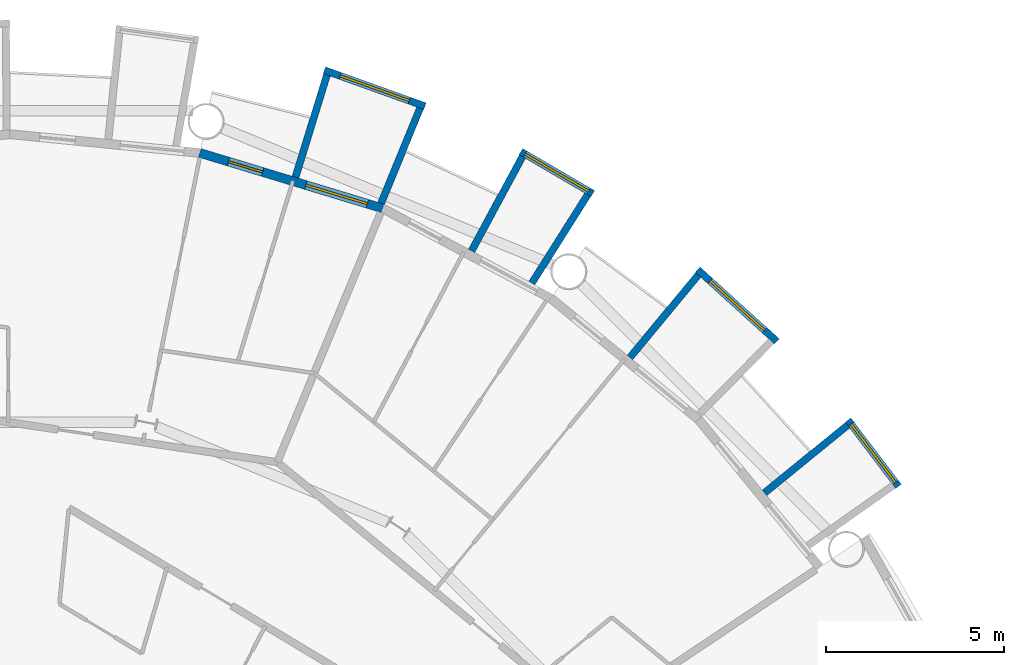
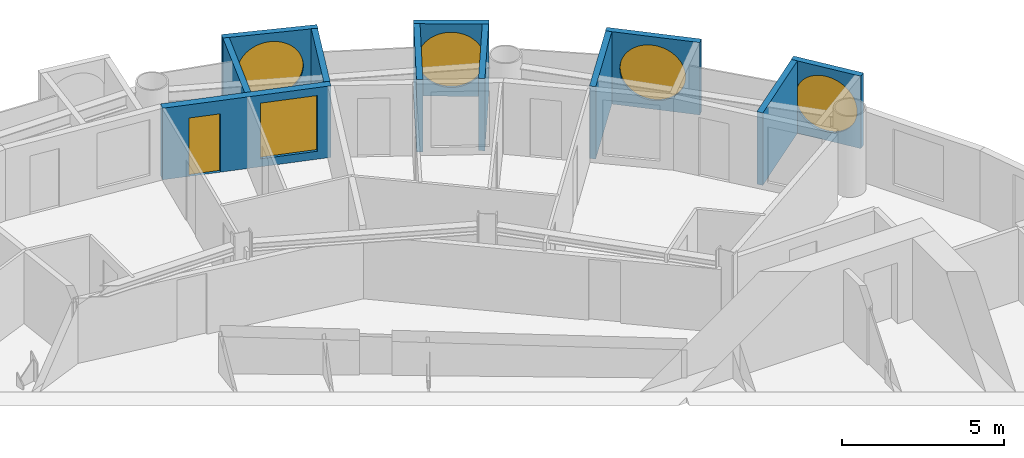
# One storey, part 22 of 26: 11 walls, 5 windows, 1 door, 6 openings.
"""IFC4 building model written with IfcOpenShell, lengths in metres."""

from ifc_helpers import new_model, si_unit, direction, frame, frame_2d, origin, place, context, subcontext, project, spatial, rectangle, circle, extrude, material, layer, layer_set, type_object, element, fill, save


model = new_model("IFC4")

# Units and contexts
model_context = context("Model", 3, precision=1e-05, world=origin(), true_north=direction((0.0, 1.0)))
body_context = subcontext(model_context, "Body", "Model", "MODEL_VIEW")
ifc_project = project(units=[si_unit("LENGTHUNIT", "METRE"), si_unit("AREAUNIT", "SQUARE_METRE"), si_unit("VOLUMEUNIT", "CUBIC_METRE"), si_unit("PLANEANGLEUNIT", "RADIAN"), si_unit("MASSUNIT", "GRAM", prefix="KILO")], contexts=[model_context])

# Site, building, storey
site_placement = place(None, origin())
site = spatial("IfcSite", under=ifc_project, at=site_placement, CompositionType="ELEMENT")
building_placement = place(site_placement, origin())
building = spatial("IfcBuilding", under=site, at=building_placement, Name="Maasbend Ring Residences", CompositionType="ELEMENT")
storey_placement = place(building_placement, frame((0.0, 0.0, 47.199951171875)))
storey = spatial("IfcBuildingStorey", under=building, at=storey_placement, Name="L13", CompositionType="ELEMENT", Elevation=47.199951171875)

# Wall, opening, window
ifc_material_1 = material(Name="Pale anodised aluminium panel", Category="aluminium")
ifc_layer_1 = layer(ifc_material_1, 0.199951171875)
ifc_layer_set_1 = layer_set([ifc_layer_1], Name="EW-BOX")
wall_type_1 = type_object("IfcWallType", Name="EW-BOX", PredefinedType="SOLIDWALL", material=ifc_layer_set_1)
wall_1_placement = place(storey_placement, frame((24.908935546875, 17.427001953125, -0.030029296875), z_axis=(0.0, 0.0, 1.0), x_axis=(-0.60418752353, 0.796842165306, 0.0)))
wall_1 = element("IfcWall", 1, at=wall_1_placement, inside=storey, type_object=wall_type_1, Name="Box front N01", PredefinedType="SOLIDWALL", context=body_context, shape_type="SweptSolid", body=[
    extrude(rectangle(XDim=2.3369140625, YDim=0.199951171875, at=frame_2d((1.16845703125, 0.0))), origin(), (0.0, 0.0, 1.0), 2.72998046875),
])
opening_1_placement = place(wall_1_placement, frame((0.128173828125, 0.0, 0.330078125)))
opening_1 = element("IfcOpeningElement", 2, at=opening_1_placement, cuts=wall_1, Name="Opening W-RD", PredefinedType="OPENING", context=body_context, shape_type="SweptSolid", body=[
    extrude(circle(Radius=1.0400390625, at=frame_2d((1.0400390625, 1.0400390625))), frame((0.0, 0.10986328125, 0.0), z_axis=(0.0, -1.0, 0.0), x_axis=(1.0, 0.0, 0.0)), (0.0, 0.0, 1.0), 0.219970703125),
])
ifc_material_2 = material(Name="Aluminium and clear glass", Category="aluminium")
window_type_1 = type_object("IfcWindowType", Name="W-RD", PartitioningType="SINGLE_PANEL", PredefinedType="WINDOW", material=ifc_material_2)
window_1_placement = place(opening_1_placement, origin())
window_1 = element("IfcWindow", 3, at=window_1_placement, inside=storey, type_object=window_type_1, Name="Round window N01", OverallHeight=2.080078125, OverallWidth=2.080078125, PartitioningType="SINGLE_PANEL", PredefinedType="WINDOW", context=body_context, shape_type="SweptSolid", body=[
    extrude(circle(Radius=1.0400390625, at=frame_2d((1.0400390625, 1.0400390625))), frame((0.0, 0.030029296875, 0.0), z_axis=(0.0, -1.0, 0.0), x_axis=(1.0, 0.0, 0.0)), (0.0, 0.0, 1.0), 0.06005859375),
])
fill(opening_1, window_1)

# Wall
wall_2_placement = place(storey_placement, frame((21.155029296875, 17.24609375, -0.030029296875), z_axis=(0.0, 0.0, 1.0), x_axis=(0.775179004516, 0.631741648902, 0.0)))
element("IfcWall", 4, at=wall_2_placement, inside=storey, type_object=wall_type_1, Name="Box side wall N01 right", PredefinedType="SOLIDWALL", context=body_context, shape_type="SweptSolid", body=[
    extrude(rectangle(XDim=3.005859375, YDim=0.199951171875, at=frame_2d((1.5029296875, 0.0))), origin(), (0.0, 0.0, 1.0), 2.72998046875),
])

# Wall, opening, window
wall_3_placement = place(storey_placement, frame((21.5, 21.492919921875, -0.030029296875), z_axis=(0.0, 0.0, 1.0), x_axis=(-0.740998365753, 0.671506829416, 0.0)))
wall_3 = element("IfcWall", 5, at=wall_3_placement, inside=storey, type_object=wall_type_1, Name="Box front N03", PredefinedType="SOLIDWALL", context=body_context, shape_type="SweptSolid", body=[
    extrude(rectangle(XDim=2.9931640625, YDim=0.199951171875, at=frame_2d((1.49658203125, 0.0))), origin(), (0.0, 0.0, 1.0), 2.72998046875),
])
opening_2_placement = place(wall_3_placement, frame((0.45654296875, 0.0, 0.330078125)))
opening_2 = element("IfcOpeningElement", 6, at=opening_2_placement, cuts=wall_3, Name="Opening W-RD", PredefinedType="OPENING", context=body_context, shape_type="SweptSolid", body=[
    extrude(circle(Radius=1.0400390625, at=frame_2d((1.0400390625, 1.0400390625))), frame((0.0, 0.10986328125, 0.0), z_axis=(0.0, -1.0, 0.0), x_axis=(1.0, 0.0, 0.0)), (0.0, 0.0, 1.0), 0.219970703125),
])
window_2_placement = place(opening_2_placement, origin())
window_2 = element("IfcWindow", 7, at=window_2_placement, inside=storey, type_object=window_type_1, Name="Round window N03", OverallHeight=2.080078125, OverallWidth=2.080078125, PartitioningType="SINGLE_PANEL", PredefinedType="WINDOW", context=body_context, shape_type="SweptSolid", body=[
    extrude(circle(Radius=1.0400390625, at=frame_2d((1.0400390625, 1.0400390625))), frame((0.0, 0.030029296875, 0.0), z_axis=(0.0, -1.0, 0.0), x_axis=(1.0, 0.0, 0.0)), (0.0, 0.0, 1.0), 0.06005859375),
])
fill(opening_2, window_2)

# Wall
wall_4_placement = place(storey_placement, frame((17.384033203125, 21.041015625, -0.030029296875), z_axis=(0.0, 0.0, 1.0), x_axis=(0.63709551667, 0.770784861449, 0.0)))
element("IfcWall", 8, at=wall_4_placement, inside=storey, type_object=wall_type_1, Name="Box side wall N03 right", PredefinedType="SOLIDWALL", context=body_context, shape_type="SweptSolid", body=[
    extrude(rectangle(XDim=3.005859375, YDim=0.199951171875, at=frame_2d((1.5029296875, 0.0))), origin(), (0.0, 0.0, 1.0), 2.72998046875),
])

# Wall, opening, window
wall_5_placement = place(storey_placement, frame((16.343994140625, 25.633056640625, -0.030029296875), z_axis=(0.0, 0.0, 1.0), x_axis=(-0.863346521872, 0.504611517081, 0.0)))
wall_5 = element("IfcWall", 9, at=wall_5_placement, inside=storey, type_object=wall_type_1, Name="Box front N05", PredefinedType="SOLIDWALL", context=body_context, shape_type="SweptSolid", body=[
    extrude(rectangle(XDim=2.33642578125, YDim=0.199951171875, at=frame_2d((1.168212890625, 0.0))), origin(), (0.0, 0.0, 1.0), 2.72998046875),
])
opening_3_placement = place(wall_5_placement, frame((0.128173828125, 0.0, 0.330078125)))
opening_3 = element("IfcOpeningElement", 10, at=opening_3_placement, cuts=wall_5, Name="Opening W-RD", PredefinedType="OPENING", context=body_context, shape_type="SweptSolid", body=[
    extrude(circle(Radius=1.0400390625, at=frame_2d((1.0400390625, 1.0400390625))), frame((0.0, 0.10986328125, 0.0), z_axis=(0.0, -1.0, 0.0), x_axis=(1.0, 0.0, 0.0)), (0.0, 0.0, 1.0), 0.219970703125),
])
window_3_placement = place(opening_3_placement, origin())
window_3 = element("IfcWindow", 11, at=window_3_placement, inside=storey, type_object=window_type_1, Name="Round window N05", OverallHeight=2.080078125, OverallWidth=2.080078125, PartitioningType="SINGLE_PANEL", PredefinedType="WINDOW", context=body_context, shape_type="SweptSolid", body=[
    extrude(circle(Radius=1.0400390625, at=frame_2d((1.0400390625, 1.0400390625))), frame((0.0, 0.030029296875, 0.0), z_axis=(0.0, -1.0, 0.0), x_axis=(1.0, 0.0, 0.0)), (0.0, 0.0, 1.0), 0.06005859375),
])
fill(opening_3, window_3)

# Walls
wall_6_placement = place(storey_placement, frame((14.635009765625, 23.1259765625, -0.030029296875), z_axis=(0.0, 0.0, 1.0), x_axis=(0.534437802731, 0.845207805816, 0.0)))
element("IfcWall", 12, at=wall_6_placement, inside=storey, type_object=wall_type_1, Name="Box side wall N05 left", PredefinedType="SOLIDWALL", context=body_context, shape_type="SweptSolid", body=[
    extrude(rectangle(XDim=2.931884765625, YDim=0.199951171875, at=frame_2d((1.4658203125, 0.0))), origin(), (0.0, 0.0, 1.0), 2.72998046875),
])
wall_7_placement = place(storey_placement, frame((12.945068359375, 24.029052734375, -0.030029296875), z_axis=(0.0, 0.0, 1.0), x_axis=(0.474424310775, 0.88029629861, 0.0)))
element("IfcWall", 13, at=wall_7_placement, inside=storey, type_object=wall_type_1, Name="Box side wall N05 right", PredefinedType="SOLIDWALL", context=body_context, shape_type="SweptSolid", body=[
    extrude(rectangle(XDim=3.005859375, YDim=0.199951171875, at=frame_2d((1.5029296875, 0.0))), origin(), (0.0, 0.0, 1.0), 2.72998046875),
])

# Wall, opening, window
wall_8_placement = place(storey_placement, frame((11.637939453125, 28.083984375, -0.030029296875), z_axis=(0.0, 0.0, 1.0), x_axis=(-0.941461077774, 0.337121697664, 0.0)))
wall_8 = element("IfcWall", 14, at=wall_8_placement, inside=storey, type_object=wall_type_1, Name="Box front N07", PredefinedType="SOLIDWALL", context=body_context, shape_type="SweptSolid", body=[
    extrude(rectangle(XDim=2.9931640625, YDim=0.199951171875, at=frame_2d((1.49658203125, 0.0))), origin(), (0.0, 0.0, 1.0), 2.72998046875),
])
opening_4_placement = place(wall_8_placement, frame((0.45654296875, 0.0, 0.330078125)))
opening_4 = element("IfcOpeningElement", 15, at=opening_4_placement, cuts=wall_8, Name="Opening W-RD", PredefinedType="OPENING", context=body_context, shape_type="SweptSolid", body=[
    extrude(circle(Radius=1.0400390625, at=frame_2d((1.0400390625, 1.0400390625))), frame((0.0, 0.10986328125, 0.0), z_axis=(0.0, -1.0, 0.0), x_axis=(1.0, 0.0, 0.0)), (0.0, 0.0, 1.0), 0.219970703125),
])
window_4_placement = place(opening_4_placement, origin())
window_4 = element("IfcWindow", 16, at=window_4_placement, inside=storey, type_object=window_type_1, Name="Round window N07", OverallHeight=2.080078125, OverallWidth=2.080078125, PartitioningType="SINGLE_PANEL", PredefinedType="WINDOW", context=body_context, shape_type="SweptSolid", body=[
    extrude(circle(Radius=1.0400390625, at=frame_2d((1.0400390625, 1.0400390625))), frame((0.0, 0.030029296875, 0.0), z_axis=(0.0, -1.0, 0.0), x_axis=(1.0, 0.0, 0.0)), (0.0, 0.0, 1.0), 0.06005859375),
])
fill(opening_4, window_4)

# Walls
wall_9_placement = place(storey_placement, frame((10.408935546875, 25.364013671875, -0.030029296875), z_axis=(0.0, 0.0, 1.0), x_axis=(0.379509886562, 0.925187681501, 0.0)))
element("IfcWall", 17, at=wall_9_placement, inside=storey, type_object=wall_type_1, Name="Box side wall N07 left", PredefinedType="SOLIDWALL", context=body_context, shape_type="SweptSolid", body=[
    extrude(rectangle(XDim=2.882568359375, YDim=0.199951171875, at=frame_2d((1.44140625, 0.0))), origin(), (0.0, 0.0, 1.0), 2.72998046875),
])
wall_10_placement = place(storey_placement, frame((8.009033203125, 26.092041015625, -0.030029296875), z_axis=(0.0, 0.0, 1.0), x_axis=(0.293406695073, 0.955987715029, 0.0)))
element("IfcWall", 18, at=wall_10_placement, inside=storey, type_object=wall_type_1, Name="Box side wall N07 right", PredefinedType="SOLIDWALL", context=body_context, shape_type="SweptSolid", body=[
    extrude(rectangle(XDim=3.00634765625, YDim=0.199951171875, at=frame_2d((1.503173828125, 0.0))), origin(), (0.0, 0.0, 1.0), 2.72998046875),
])

# Wall, openings, door, window
ifc_material_3 = material(Name="Aluminium clad insulated panel", Category="aluminium")
ifc_layer_2 = layer(ifc_material_3, 0.25)
ifc_layer_set_2 = layer_set([ifc_layer_2], Name="EW-GL")
wall_type_2 = type_object("IfcWallType", Name="EW-GL", PredefinedType="SOLIDWALL", material=ifc_layer_set_2)
wall_11_placement = place(storey_placement, frame((10.447021484375, 25.221923828125, 0.0), z_axis=(0.0, 0.0, 1.0), x_axis=(-0.956965678721, 0.290201119486, 0.0)))
wall_11 = element("IfcWall", 19, at=wall_11_placement, inside=storey, type_object=wall_type_2, Name="External wall N04", PredefinedType="SOLIDWALL", context=body_context, shape_type="SweptSolid", body=[
    extrude(rectangle(XDim=5.351318359375, YDim=0.25, at=frame_2d((2.67578125, 0.0))), origin(), (0.0, 0.0, 1.0), 2.699951171875),
])
opening_5_placement = place(wall_11_placement, frame((0.441162109375, 0.0, 0.300048828125)))
opening_5 = element("IfcOpeningElement", 20, at=opening_5_placement, cuts=wall_11, Name="Opening W-BX", PredefinedType="OPENING", context=body_context, shape_type="SweptSolid", body=[
    extrude(rectangle(XDim=1.800048828125, YDim=2.10009765625, at=frame_2d((0.89990234375, 1.050048828125))), frame((0.0, 0.135009765625, 0.0), z_axis=(0.0, -1.0, 0.0), x_axis=(1.0, 0.0, 0.0)), (0.0, 0.0, 1.0), 0.27001953125),
])
opening_6_placement = place(wall_11_placement, frame((3.510498046875, 0.0, 0.0)))
opening_6 = element("IfcOpeningElement", 21, at=opening_6_placement, cuts=wall_11, Name="Opening D-LG", PredefinedType="OPENING", context=body_context, shape_type="SweptSolid", body=[
    extrude(rectangle(XDim=1.0, YDim=2.199951171875, at=frame_2d((0.5, 1.10009765625))), frame((0.0, 0.135009765625, 0.0), z_axis=(0.0, -1.0, 0.0), x_axis=(1.0, 0.0, 0.0)), (0.0, 0.0, 1.0), 0.27001953125),
])
ifc_material_4 = material(Name="Aluminium and clear glass", Category="aluminium")
door_type = type_object("IfcDoorType", Name="D-LG", OperationType="SINGLE_SWING_LEFT", PredefinedType="DOOR", material=ifc_material_4)
door_placement = place(opening_6_placement, origin())
door = element("IfcDoor", 22, at=door_placement, inside=storey, type_object=door_type, Name="Loggia door N08", OperationType="SINGLE_SWING_LEFT", OverallHeight=2.199951171875, OverallWidth=1.0, PredefinedType="DOOR", context=body_context, shape_type="SweptSolid", body=[
    extrude(rectangle(XDim=1.0, YDim=2.199951171875, at=frame_2d((0.5, 1.10009765625))), frame((0.0, 0.02490234375, 0.0), z_axis=(0.0, -1.0, 0.0), x_axis=(1.0, 0.0, 0.0)), (0.0, 0.0, 1.0), 0.050048828125),
])
fill(opening_6, door)
ifc_material_5 = material(Name="Aluminium and clear glass", Category="aluminium")
window_type_2 = type_object("IfcWindowType", Name="W-BX", PartitioningType="DOUBLE_PANEL_VERTICAL", PredefinedType="WINDOW", material=ifc_material_5)
window_5_placement = place(opening_5_placement, origin())
window_5 = element("IfcWindow", 23, at=window_5_placement, inside=storey, type_object=window_type_2, Name="Window N07 room to box", OverallHeight=2.10009765625, OverallWidth=1.800048828125, PartitioningType="SINGLE_PANEL", PredefinedType="WINDOW", context=body_context, shape_type="SweptSolid", body=[
    extrude(rectangle(XDim=1.800048828125, YDim=2.10009765625, at=frame_2d((0.89990234375, 1.050048828125))), frame((0.0, 0.030029296875, 0.0), z_axis=(0.0, -1.0, 0.0), x_axis=(1.0, 0.0, 0.0)), (0.0, 0.0, 1.0), 0.06005859375),
])
fill(opening_5, window_5)

save(model, "model.ifc")
